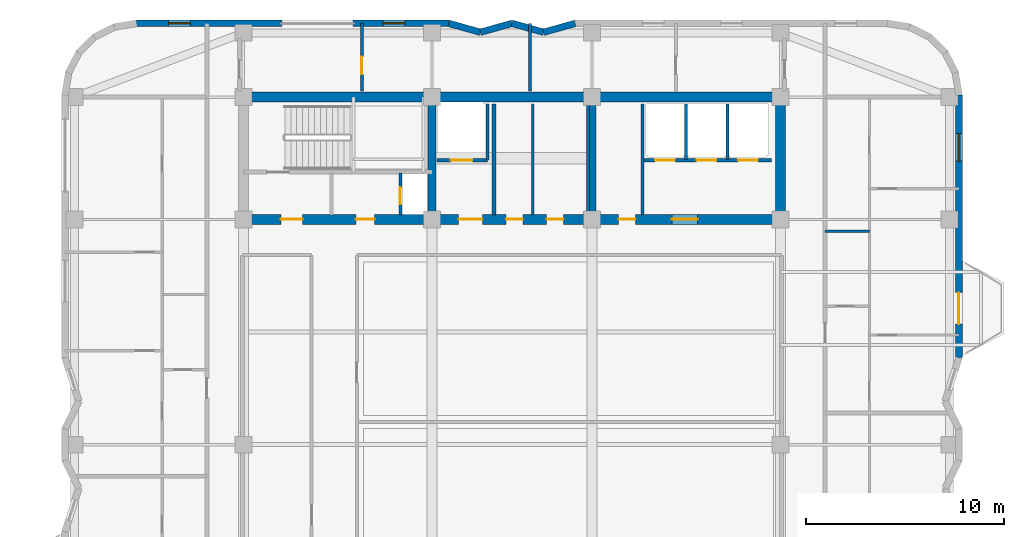
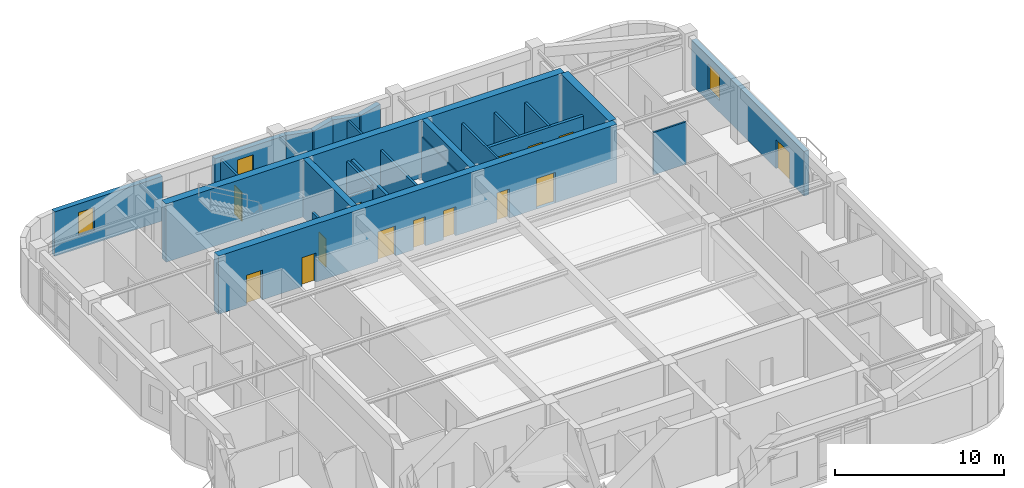
# One storey, part 8 of 11: 25 walls, 14 doors, 3 windows, 17 openings.
"""IFC4 building model written with IfcOpenShell, lengths in metres."""

from ifc_helpers import new_model, si_unit, direction, frame, frame_2d, origin, place, context, subcontext, project, spatial, rectangle, extrude, material, layer, layer_set, type_object, element, fill, save


model = new_model("IFC4")

# Units and contexts
model_context = context("Model", 3, precision=1e-05, world=origin(), true_north=direction((0.0, 1.0)))
body_context = subcontext(model_context, "Body", "Model", "MODEL_VIEW")
ifc_project = project(units=[si_unit("LENGTHUNIT", "METRE"), si_unit("AREAUNIT", "SQUARE_METRE"), si_unit("VOLUMEUNIT", "CUBIC_METRE"), si_unit("PLANEANGLEUNIT", "RADIAN"), si_unit("MASSUNIT", "GRAM", prefix="KILO")], contexts=[model_context])

# Site, building, storey
site_placement = place(None, origin())
site = spatial("IfcSite", under=ifc_project, at=site_placement, CompositionType="ELEMENT")
building_placement = place(site_placement, origin())
building = spatial("IfcBuilding", under=site, at=building_placement, Name="Svetorya Sky Lyceum", CompositionType="ELEMENT")
storey_placement = place(building_placement, frame((0.0, 0.0, 203.10009765625)))
storey = spatial("IfcBuildingStorey", under=building, at=storey_placement, Name="L50", CompositionType="ELEMENT", Elevation=203.10009765625)

# Walls
ifc_material_1 = material(Name="Concrete C40/50", Category="concrete")
ifc_layer_1 = layer(ifc_material_1, 0.39990234375)
ifc_layer_set_1 = layer_set([ifc_layer_1], Name="Concrete C40/50")
wall_type_1 = type_object("IfcWallType", Name="WL-CORE-400", PredefinedType="SHEAR", material=ifc_layer_set_1)
for number, where, z_axis, x_axis, name in (
    (1, (35.14990234375, 39.85009765625, 0.0), (0.0, 0.0, 1.0), (0.0, 1.0, 0.0), "L50 NC Internal Shear Web WEB1"),
    (2, (43.25, 39.85009765625, 0.0), (0.0, 0.0, 1.0), (0.0, 1.0, 0.0), "L50 NC Internal Shear Web WEB2"),
):
    element("IfcWall", number, at=place(storey_placement, frame(where, z_axis=z_axis, x_axis=x_axis)), inside=storey, type_object=wall_type_1, Name=name, PredefinedType="SHEAR", context=body_context, shape_type="SweptSolid", body=[
        extrude(rectangle(XDim=5.699951171875, YDim=0.39990234375, at=frame_2d((2.85009765625, 0.0))), origin(), (0.0, 0.0, 1.0), 4.199951171875),
    ])
ifc_material_2 = material(Name="Concrete C50/60", Category="concrete")
ifc_layer_2 = layer(ifc_material_2, 0.5)
ifc_layer_set_2 = layer_set([ifc_layer_2], Name="Concrete C50/60")
wall_type_2 = type_object("IfcWallType", Name="WL-CORE-500", PredefinedType="SHEAR", material=ifc_layer_set_2)
wall_1_placement = place(storey_placement, frame((25.60009765625, 45.800048828125, 0.0), z_axis=(0.0, 0.0, 1.0), x_axis=(1.0, 0.0, 0.0)))
element("IfcWall", 3, at=wall_1_placement, inside=storey, type_object=wall_type_2, Name="L50 NC Outer Core Shear Wall", PredefinedType="SHEAR", context=body_context, shape_type="SweptSolid", body=[
    extrude(rectangle(XDim=27.199951171875, YDim=0.5, at=frame_2d((13.60009765625, 0.0))), origin(), (0.0, 0.0, 1.0), 4.199951171875),
])
wall_2_placement = place(storey_placement, frame((52.800048828125, 39.85009765625, 0.0), z_axis=(0.0, 0.0, 1.0), x_axis=(0.0, 1.0, 0.0)))
element("IfcWall", 4, at=wall_2_placement, inside=storey, type_object=wall_type_2, Name="L50 NC East Core Shear Wall", PredefinedType="SHEAR", context=body_context, shape_type="SweptSolid", body=[
    extrude(rectangle(XDim=5.699951171875, YDim=0.5, at=frame_2d((2.85009765625, 0.0))), origin(), (0.0, 0.0, 1.0), 4.199951171875),
])

# Wall, openings, doors
wall_3_placement = place(storey_placement, frame((52.800048828125, 39.60009765625, 0.0), z_axis=(0.0, 0.0, 1.0), x_axis=(-1.0, 0.0, 0.0)))
wall_3 = element("IfcWall", 5, at=wall_3_placement, inside=storey, type_object=wall_type_2, Name="L50 NC Inner Core Shear Wall", PredefinedType="SHEAR", context=body_context, shape_type="SweptSolid", body=[
    extrude(rectangle(XDim=27.199951171875, YDim=0.5, at=frame_2d((13.60009765625, 0.0))), origin(), (0.0, 0.0, 1.0), 4.199951171875),
])
opening_1_placement = place(wall_3_placement, frame((24.199951171875, 0.0, 0.0)))
opening_1 = element("IfcOpeningElement", 6, at=opening_1_placement, cuts=wall_3, Name="Opening D-ST1", PredefinedType="OPENING", context=body_context, shape_type="SweptSolid", body=[
    extrude(rectangle(XDim=1.10009765625, YDim=2.14990234375, at=frame_2d((0.550048828125, 1.074951171875))), frame((0.0, 0.260009765625, 0.0), z_axis=(0.0, -1.0, 0.0), x_axis=(1.0, 0.0, 0.0)), (0.0, 0.0, 1.0), 0.52001953125),
])
opening_2_placement = place(wall_3_placement, frame((20.550048828125, 0.0, 0.0)))
opening_2 = element("IfcOpeningElement", 7, at=opening_2_placement, cuts=wall_3, Name="Opening D-CAC1", PredefinedType="OPENING", context=body_context, shape_type="SweptSolid", body=[
    extrude(rectangle(XDim=0.949951171875, YDim=2.10009765625, at=frame_2d((0.47509765625, 1.050048828125))), frame((0.0, 0.260009765625, 0.0), z_axis=(0.0, -1.0, 0.0), x_axis=(1.0, 0.0, 0.0)), (0.0, 0.0, 1.0), 0.52001953125),
])
opening_3_placement = place(wall_3_placement, frame((15.10009765625, 0.0, 0.0)))
opening_3 = element("IfcOpeningElement", 8, at=opening_3_placement, cuts=wall_3, Name="Opening D-FL1", PredefinedType="OPENING", context=body_context, shape_type="SweptSolid", body=[
    extrude(rectangle(XDim=1.199951171875, YDim=2.14990234375, at=frame_2d((0.60009765625, 1.074951171875))), frame((0.0, 0.260009765625, 0.0), z_axis=(0.0, -1.0, 0.0), x_axis=(1.0, 0.0, 0.0)), (0.0, 0.0, 1.0), 0.52001953125),
])
opening_4_placement = place(wall_3_placement, frame((13.050048828125, 0.0, 0.0)))
opening_4 = element("IfcOpeningElement", 9, at=opening_4_placement, cuts=wall_3, Name="Opening D-CWC1", PredefinedType="OPENING", context=body_context, shape_type="SweptSolid", body=[
    extrude(rectangle(XDim=0.85009765625, YDim=2.10009765625, at=frame_2d((0.425048828125, 1.050048828125))), frame((0.0, 0.260009765625, 0.0), z_axis=(0.0, -1.0, 0.0), x_axis=(1.0, 0.0, 0.0)), (0.0, 0.0, 1.0), 0.52001953125),
])
opening_5_placement = place(wall_3_placement, frame((11.0, 0.0, 0.0)))
opening_5 = element("IfcOpeningElement", 10, at=opening_5_placement, cuts=wall_3, Name="Opening D-CWC1", PredefinedType="OPENING", context=body_context, shape_type="SweptSolid", body=[
    extrude(rectangle(XDim=0.85009765625, YDim=2.10009765625, at=frame_2d((0.425048828125, 1.050048828125))), frame((0.0, 0.260009765625, 0.0), z_axis=(0.0, -1.0, 0.0), x_axis=(1.0, 0.0, 0.0)), (0.0, 0.0, 1.0), 0.52001953125),
])
opening_6_placement = place(wall_3_placement, frame((7.35009765625, 0.0, 0.0)))
opening_6 = element("IfcOpeningElement", 11, at=opening_6_placement, cuts=wall_3, Name="Opening D-CWC1", PredefinedType="OPENING", context=body_context, shape_type="SweptSolid", body=[
    extrude(rectangle(XDim=0.85009765625, YDim=2.10009765625, at=frame_2d((0.425048828125, 1.050048828125))), frame((0.0, 0.260009765625, 0.0), z_axis=(0.0, -1.0, 0.0), x_axis=(1.0, 0.0, 0.0)), (0.0, 0.0, 1.0), 0.52001953125),
])
opening_7_placement = place(wall_3_placement, frame((4.199951171875, 0.0, 0.0)))
opening_7 = element("IfcOpeningElement", 12, at=opening_7_placement, cuts=wall_3, Name="Opening D-LB1", PredefinedType="OPENING", context=body_context, shape_type="SweptSolid", body=[
    extrude(rectangle(XDim=1.300048828125, YDim=2.199951171875, at=frame_2d((0.64990234375, 1.10009765625))), frame((0.0, 0.260009765625, 0.0), z_axis=(0.0, -1.0, 0.0), x_axis=(1.0, 0.0, 0.0)), (0.0, 0.0, 1.0), 0.52001953125),
])
ifc_material_3 = material(Name="Fire-rated galvanized steel core accessible WC door", Category="steel")
door_type_1 = type_object("IfcDoorType", Name="DR-CACC-950", OperationType="SINGLE_SWING_LEFT", PredefinedType="DOOR", material=ifc_material_3)
door_1_placement = place(opening_2_placement, origin())
door_1 = element("IfcDoor", 13, at=door_1_placement, inside=storey, type_object=door_type_1, Name="L50 North Core Accessible WC Door", OperationType="SINGLE_SWING_RIGHT", OverallHeight=2.10009765625, OverallWidth=0.949951171875, PredefinedType="DOOR", context=body_context, shape_type="SweptSolid", body=[
    extrude(rectangle(XDim=0.949951171875, YDim=2.10009765625, at=frame_2d((0.47509765625, 1.050048828125))), frame((0.0, 0.02490234375, 0.0), z_axis=(0.0, -1.0, 0.0), x_axis=(1.0, 0.0, 0.0)), (0.0, 0.0, 1.0), 0.050048828125),
])
fill(opening_2, door_1)
ifc_material_4 = material(Name="Fire-rated galvanized steel core service closet door", Category="steel")
door_type_2 = type_object("IfcDoorType", Name="DR-CWET-850", OperationType="SINGLE_SWING_LEFT", PredefinedType="DOOR", material=ifc_material_4)
door_2_placement = place(opening_4_placement, origin())
door_2 = element("IfcDoor", 14, at=door_2_placement, inside=storey, type_object=door_type_2, Name="L50 Upper Linen Door", OperationType="SINGLE_SWING_LEFT", OverallHeight=2.10009765625, OverallWidth=0.85009765625, PredefinedType="DOOR", context=body_context, shape_type="SweptSolid", body=[
    extrude(rectangle(XDim=0.85009765625, YDim=2.10009765625, at=frame_2d((0.425048828125, 1.050048828125))), frame((0.0, 0.02490234375, 0.0), z_axis=(0.0, -1.0, 0.0), x_axis=(1.0, 0.0, 0.0)), (0.0, 0.0, 1.0), 0.050048828125),
])
fill(opening_4, door_2)
door_3_placement = place(opening_5_placement, origin())
door_3 = element("IfcDoor", 15, at=door_3_placement, inside=storey, type_object=door_type_2, Name="L50 Upper Laundry Door", OperationType="SINGLE_SWING_RIGHT", OverallHeight=2.10009765625, OverallWidth=0.85009765625, PredefinedType="DOOR", context=body_context, shape_type="SweptSolid", body=[
    extrude(rectangle(XDim=0.85009765625, YDim=2.10009765625, at=frame_2d((0.425048828125, 1.050048828125))), frame((0.0, 0.02490234375, 0.0), z_axis=(0.0, -1.0, 0.0), x_axis=(1.0, 0.0, 0.0)), (0.0, 0.0, 1.0), 0.050048828125),
])
fill(opening_5, door_3)
door_4_placement = place(opening_6_placement, origin())
door_4 = element("IfcDoor", 16, at=door_4_placement, inside=storey, type_object=door_type_2, Name="L50 High-Zone Utility Room Door", OperationType="SINGLE_SWING_LEFT", OverallHeight=2.10009765625, OverallWidth=0.85009765625, PredefinedType="DOOR", context=body_context, shape_type="SweptSolid", body=[
    extrude(rectangle(XDim=0.85009765625, YDim=2.10009765625, at=frame_2d((0.425048828125, 1.050048828125))), frame((0.0, 0.02490234375, 0.0), z_axis=(0.0, -1.0, 0.0), x_axis=(1.0, 0.0, 0.0)), (0.0, 0.0, 1.0), 0.050048828125),
])
fill(opening_6, door_4)
ifc_material_5 = material(Name="Powder-coated insulated galvanized stair fire door")
door_type_3 = type_object("IfcDoorType", Name="DR-FIRE-1100", OperationType="SINGLE_SWING_LEFT", PredefinedType="DOOR", material=ifc_material_5)
door_5_placement = place(opening_1_placement, origin())
door_5 = element("IfcDoor", 17, at=door_5_placement, inside=storey, type_object=door_type_3, Name="L50 North Stair Airlock Door", OperationType="SINGLE_SWING_LEFT", OverallHeight=2.14990234375, OverallWidth=1.10009765625, PredefinedType="DOOR", context=body_context, shape_type="SweptSolid", body=[
    extrude(rectangle(XDim=1.10009765625, YDim=2.14990234375, at=frame_2d((0.550048828125, 1.074951171875))), frame((0.0, 0.02490234375, 0.0), z_axis=(0.0, -1.0, 0.0), x_axis=(1.0, 0.0, 0.0)), (0.0, 0.0, 1.0), 0.050048828125),
])
fill(opening_1, door_5)
ifc_material_6 = material(Name="Powder-coated insulated galvanized fire door")
door_type_4 = type_object("IfcDoorType", Name="DR-FIRE-1200", OperationType="SINGLE_SWING_LEFT", PredefinedType="DOOR", material=ifc_material_6)
door_6_placement = place(opening_3_placement, origin())
door_6 = element("IfcDoor", 18, at=door_6_placement, inside=storey, type_object=door_type_4, Name="L50 North Firefighting Lift Lobby Door", OperationType="SINGLE_SWING_RIGHT", OverallHeight=2.14990234375, OverallWidth=1.199951171875, PredefinedType="DOOR", context=body_context, shape_type="SweptSolid", body=[
    extrude(rectangle(XDim=1.199951171875, YDim=2.14990234375, at=frame_2d((0.60009765625, 1.074951171875))), frame((0.0, 0.02490234375, 0.0), z_axis=(0.0, -1.0, 0.0), x_axis=(1.0, 0.0, 0.0)), (0.0, 0.0, 1.0), 0.050048828125),
])
fill(opening_3, door_6)
ifc_material_7 = material(Name="Glazed fire-rated aluminium lobby door", Category="aluminium")
door_type_5 = type_object("IfcDoorType", Name="DR-LOB-1300", OperationType="SINGLE_SWING_LEFT", PredefinedType="DOOR", material=ifc_material_7)
door_7_placement = place(opening_7_placement, origin())
door_7 = element("IfcDoor", 19, at=door_7_placement, inside=storey, type_object=door_type_5, Name="L50 North Passenger Lift Lobby Door", OperationType="SINGLE_SWING_LEFT", OverallHeight=2.199951171875, OverallWidth=1.300048828125, PredefinedType="DOOR", context=body_context, shape_type="SweptSolid", body=[
    extrude(rectangle(XDim=1.300048828125, YDim=2.199951171875, at=frame_2d((0.64990234375, 1.10009765625))), frame((0.0, 0.02490234375, 0.0), z_axis=(0.0, -1.0, 0.0), x_axis=(1.0, 0.0, 0.0)), (0.0, 0.0, 1.0), 0.050048828125),
])
fill(opening_7, door_7)

# Wall, openings, door, window
ifc_material_8 = material(Name="Putilovo limestone rainscreen on autoclaved cellular masonry", Category="masonry")
ifc_layer_3 = layer(ifc_material_8, 0.340087890625)
ifc_layer_set_3 = layer_set([ifc_layer_3], Name="Putilovo limestone rainscreen on autoclaved cellular masonry")
wall_type_3 = type_object("IfcWallType", Name="WL-EXT-340", PredefinedType="SOLIDWALL", material=ifc_layer_set_3)
wall_4_placement = place(storey_placement, frame((61.830078125, 32.60009765625, 0.0), z_axis=(0.0, 0.0, 1.0), x_axis=(0.0, 1.0, 0.0)))
wall_4 = element("IfcWall", 20, at=wall_4_placement, inside=storey, type_object=wall_type_3, Name="L50 Limestone Exterior Wall 23M", PredefinedType="SOLIDWALL", context=body_context, shape_type="SweptSolid", body=[
    extrude(rectangle(XDim=13.2998046875, YDim=0.340087890625, at=frame_2d((6.64990234375, 0.0))), origin(), (0.0, 0.0, 1.0), 3.219970703125),
])
opening_8_placement = place(wall_4_placement, frame((1.699951171875, 0.0, 0.0)))
opening_8 = element("IfcOpeningElement", 21, at=opening_8_placement, cuts=wall_4, Name="Opening D-BL1", PredefinedType="OPENING", context=body_context, shape_type="SweptSolid", body=[
    extrude(rectangle(XDim=1.60009765625, YDim=2.10009765625, at=frame_2d((0.800048828125, 1.050048828125))), frame((0.0, 0.179931640625, 0.0), z_axis=(0.0, -1.0, 0.0), x_axis=(1.0, 0.0, 0.0)), (0.0, 0.0, 1.0), 0.360107421875),
])
opening_9_placement = place(wall_4_placement, frame((9.949951171875, 0.0, 0.85009765625)))
opening_9 = element("IfcOpeningElement", 22, at=opening_9_placement, cuts=wall_4, Name="Opening W-R2", PredefinedType="OPENING", context=body_context, shape_type="SweptSolid", body=[
    extrude(rectangle(XDim=1.39990234375, YDim=1.85009765625, at=frame_2d((0.699951171875, 0.925048828125))), frame((0.0, 0.179931640625, 0.0), z_axis=(0.0, -1.0, 0.0), x_axis=(1.0, 0.0, 0.0)), (0.0, 0.0, 1.0), 0.360107421875),
])
ifc_material_9 = material(Name="Insulated glazed aluminium balcony door", Category="aluminium")
door_type_6 = type_object("IfcDoorType", Name="DR-BAL-1600", OperationType="DOUBLE_DOOR_SINGLE_SWING", PredefinedType="DOOR", material=ifc_material_9)
door_8_placement = place(opening_8_placement, origin())
door_8 = element("IfcDoor", 23, at=door_8_placement, inside=storey, type_object=door_type_6, Name="L50 Balcony BAL-E1 Door", OperationType="DOUBLE_DOOR_SINGLE_SWING", OverallHeight=2.10009765625, OverallWidth=1.60009765625, PredefinedType="DOOR", context=body_context, shape_type="SweptSolid", body=[
    extrude(rectangle(XDim=1.60009765625, YDim=2.10009765625, at=frame_2d((0.800048828125, 1.050048828125))), frame((0.0, 0.02490234375, 0.0), z_axis=(0.0, -1.0, 0.0), x_axis=(1.0, 0.0, 0.0)), (0.0, 0.0, 1.0), 0.050048828125),
])
fill(opening_8, door_8)
ifc_material_10 = material(Name="Thermally broken aluminium frame with triple low-E glazing", Category="aluminium")
window_type_1 = type_object("IfcWindowType", Name="WN-RES-140", PartitioningType="SINGLE_PANEL", PredefinedType="WINDOW", material=ifc_material_10)
window_1_placement = place(opening_9_placement, origin())
window_1 = element("IfcWindow", 24, at=window_1_placement, inside=storey, type_object=window_type_1, Name="L50 Facade Window W-R2.23M.1", OverallHeight=1.85009765625, OverallWidth=1.39990234375, PartitioningType="SINGLE_PANEL", PredefinedType="WINDOW", context=body_context, shape_type="SweptSolid", body=[
    extrude(rectangle(XDim=1.39990234375, YDim=1.85009765625, at=frame_2d((0.699951171875, 0.925048828125))), frame((0.0, 0.030029296875, 0.0), z_axis=(0.0, -1.0, 0.0), x_axis=(1.0, 0.0, 0.0)), (0.0, 0.0, 1.0), 0.06005859375),
])
fill(opening_9, window_1)

# Walls
wall_5_placement = place(storey_placement, frame((42.39990234375, 49.530029296875, 0.0), z_axis=(0.0, 0.0, 1.0), x_axis=(-0.962652136636, -0.270741322725, 0.0)))
element("IfcWall", 25, at=wall_5_placement, inside=storey, type_object=wall_type_3, Name="L50 Limestone Exterior Wall 30M", PredefinedType="SOLIDWALL", context=body_context, shape_type="SweptSolid", body=[
    extrude(rectangle(XDim=1.661865234375, YDim=0.340087890625, at=frame_2d((0.8310546875, 0.0))), origin(), (0.0, 0.0, 1.0), 3.219970703125),
])
wall_6_placement = place(storey_placement, frame((40.800048828125, 49.080078125, 0.0), z_axis=(0.0, 0.0, 1.0), x_axis=(-0.962662902433, 0.270703040766, 0.0)))
element("IfcWall", 26, at=wall_6_placement, inside=storey, type_object=wall_type_3, Name="L50 Limestone Exterior Wall 31M", PredefinedType="SOLIDWALL", context=body_context, shape_type="SweptSolid", body=[
    extrude(rectangle(XDim=1.662109375, YDim=0.340087890625, at=frame_2d((0.8310546875, 0.0))), origin(), (0.0, 0.0, 1.0), 3.219970703125),
])
wall_7_placement = place(storey_placement, frame((39.199951171875, 49.530029296875, 0.0), z_axis=(0.0, 0.0, 1.0), x_axis=(-0.962652136636, -0.270741322725, 0.0)))
element("IfcWall", 27, at=wall_7_placement, inside=storey, type_object=wall_type_3, Name="L50 Limestone Exterior Wall 32M", PredefinedType="SOLIDWALL", context=body_context, shape_type="SweptSolid", body=[
    extrude(rectangle(XDim=1.661865234375, YDim=0.340087890625, at=frame_2d((0.8310546875, 0.0))), origin(), (0.0, 0.0, 1.0), 3.219970703125),
])
wall_8_placement = place(storey_placement, frame((37.60009765625, 49.080078125, 0.0), z_axis=(0.0, 0.0, 1.0), x_axis=(-0.962662902433, 0.270703040766, 0.0)))
element("IfcWall", 28, at=wall_8_placement, inside=storey, type_object=wall_type_3, Name="L50 Limestone Exterior Wall 33M", PredefinedType="SOLIDWALL", context=body_context, shape_type="SweptSolid", body=[
    extrude(rectangle(XDim=1.662109375, YDim=0.340087890625, at=frame_2d((0.8310546875, 0.0))), origin(), (0.0, 0.0, 1.0), 3.219970703125),
])

# Wall, opening, window
wall_9_placement = place(storey_placement, frame((36.0, 49.530029296875, 0.0), z_axis=(0.0, 0.0, 1.0), x_axis=(-1.0, 0.0, 0.0)))
wall_9 = element("IfcWall", 29, at=wall_9_placement, inside=storey, type_object=wall_type_3, Name="L50 Limestone Exterior Wall 34A", PredefinedType="SOLIDWALL", context=body_context, shape_type="SweptSolid", body=[
    extrude(rectangle(XDim=4.85009765625, YDim=0.340087890625, at=frame_2d((2.425048828125, 0.0))), origin(), (0.0, 0.0, 1.0), 3.219970703125),
])
opening_10_placement = place(wall_9_placement, frame((2.22509765625, 0.0, 0.949951171875)))
opening_10 = element("IfcOpeningElement", 30, at=opening_10_placement, cuts=wall_9, Name="Opening W-R3", PredefinedType="OPENING", context=body_context, shape_type="SweptSolid", body=[
    extrude(rectangle(XDim=1.10009765625, YDim=1.64990234375, at=frame_2d((0.550048828125, 0.824951171875))), frame((0.0, 0.179931640625, 0.0), z_axis=(0.0, -1.0, 0.0), x_axis=(1.0, 0.0, 0.0)), (0.0, 0.0, 1.0), 0.360107421875),
])
window_type_2 = type_object("IfcWindowType", Name="WN-RES-110", PartitioningType="SINGLE_PANEL", PredefinedType="WINDOW", material=ifc_material_10)
window_2_placement = place(opening_10_placement, origin())
window_2 = element("IfcWindow", 31, at=window_2_placement, inside=storey, type_object=window_type_2, Name="L50 Facade Window W-R3.34A.1", OverallHeight=1.64990234375, OverallWidth=1.10009765625, PartitioningType="SINGLE_PANEL", PredefinedType="WINDOW", context=body_context, shape_type="SweptSolid", body=[
    extrude(rectangle(XDim=1.10009765625, YDim=1.64990234375, at=frame_2d((0.550048828125, 0.824951171875))), frame((0.0, 0.030029296875, 0.0), z_axis=(0.0, -1.0, 0.0), x_axis=(1.0, 0.0, 0.0)), (0.0, 0.0, 1.0), 0.06005859375),
])
fill(opening_10, window_2)

wall_10_placement = place(storey_placement, frame((27.550048828125, 49.530029296875, 0.0), z_axis=(0.0, 0.0, 1.0), x_axis=(-1.0, 0.0, 0.0)))
wall_10 = element("IfcWall", 32, at=wall_10_placement, inside=storey, type_object=wall_type_3, Name="L50 Limestone Exterior Wall 34B", PredefinedType="SOLIDWALL", context=body_context, shape_type="SweptSolid", body=[
    extrude(rectangle(XDim=7.35009765625, YDim=0.340087890625, at=frame_2d((3.675048828125, 0.0))), origin(), (0.0, 0.0, 1.0), 3.219970703125),
])
opening_11_placement = place(wall_10_placement, frame((4.637451171875, 0.0, 0.949951171875)))
opening_11 = element("IfcOpeningElement", 33, at=opening_11_placement, cuts=wall_10, Name="Opening W-R3", PredefinedType="OPENING", context=body_context, shape_type="SweptSolid", body=[
    extrude(rectangle(XDim=1.10009765625, YDim=1.64990234375, at=frame_2d((0.550048828125, 0.824951171875))), frame((0.0, 0.179931640625, 0.0), z_axis=(0.0, -1.0, 0.0), x_axis=(1.0, 0.0, 0.0)), (0.0, 0.0, 1.0), 0.360107421875),
])
window_3_placement = place(opening_11_placement, origin())
window_3 = element("IfcWindow", 34, at=window_3_placement, inside=storey, type_object=window_type_2, Name="L50 Facade Window W-R3.34B.1", OverallHeight=1.64990234375, OverallWidth=1.10009765625, PartitioningType="SINGLE_PANEL", PredefinedType="WINDOW", context=body_context, shape_type="SweptSolid", body=[
    extrude(rectangle(XDim=1.10009765625, YDim=1.64990234375, at=frame_2d((0.550048828125, 0.824951171875))), frame((0.0, 0.030029296875, 0.0), z_axis=(0.0, -1.0, 0.0), x_axis=(1.0, 0.0, 0.0)), (0.0, 0.0, 1.0), 0.06005859375),
])
fill(opening_11, window_3)

# Wall
ifc_material_11 = material(Name="Twin-stud galvanized framing with double fireboard", Category="gypsum")
ifc_layer_4 = layer(ifc_material_11, 0.1201171875)
ifc_layer_set_4 = layer_set([ifc_layer_4], Name="Twin-stud galvanized framing with double fireboard")
wall_type_4 = type_object("IfcWallType", Name="WL-PART-120", PredefinedType="PARTITIONING", material=ifc_layer_set_4)
wall_11_placement = place(storey_placement, frame((55.050048828125, 39.0, 0.0), z_axis=(0.0, 0.0, 1.0), x_axis=(1.0, 0.0, 0.0)))
element("IfcWall", 35, at=wall_11_placement, inside=storey, type_object=wall_type_4, Name="L50 Interior Partition E2-WH2", PredefinedType="PARTITIONING", context=body_context, shape_type="SweptSolid", body=[
    extrude(rectangle(XDim=2.25, YDim=0.1201171875, at=frame_2d((1.125, 0.0))), origin(), (0.0, 0.0, 1.0), 3.0498046875),
])

# Wall, opening, door
ifc_material_12 = material(Name="Autoclaved cellular masonry blockwork with acoustic render", Category="masonry")
ifc_layer_5 = layer(ifc_material_12, 0.14990234375)
ifc_layer_set_5 = layer_set([ifc_layer_5], Name="Autoclaved cellular masonry blockwork with acoustic render")
wall_type_5 = type_object("IfcWallType", Name="WL-PART-150", PredefinedType="PARTITIONING", material=ifc_layer_set_5)
wall_12_placement = place(storey_placement, frame((33.550048828125, 39.820068359375, 0.0), z_axis=(0.0, 0.0, 1.0), x_axis=(0.0, 1.0, 0.0)))
wall_12 = element("IfcWall", 36, at=wall_12_placement, inside=storey, type_object=wall_type_5, Name="L50 Interior Partition NC-RSRW", PredefinedType="PARTITIONING", context=body_context, shape_type="SweptSolid", body=[
    extrude(rectangle(XDim=2.1298828125, YDim=0.14990234375, at=frame_2d((1.06494140625, 0.0))), origin(), (0.0, 0.0, 1.0), 3.0498046875),
])
opening_12_placement = place(wall_12_placement, frame((0.550048828125, 0.0, 0.0)))
opening_12 = element("IfcOpeningElement", 37, at=opening_12_placement, cuts=wall_12, Name="Opening D-SH1", PredefinedType="OPENING", context=body_context, shape_type="SweptSolid", body=[
    extrude(rectangle(XDim=0.85009765625, YDim=2.050048828125, at=frame_2d((0.425048828125, 1.02490234375))), frame((0.0, 0.0849609375, 0.0), z_axis=(0.0, -1.0, 0.0), x_axis=(1.0, 0.0, 0.0)), (0.0, 0.0, 1.0), 0.169921875),
])
ifc_material_13 = material(Name="Insulated galvanized riser inspection fire door")
door_type_7 = type_object("IfcDoorType", Name="DR-SHFT-850", OperationType="SINGLE_SWING_LEFT", PredefinedType="TRAPDOOR", material=ifc_material_13)
door_9_placement = place(opening_12_placement, origin())
door_9 = element("IfcDoor", 38, at=door_9_placement, inside=storey, type_object=door_type_7, Name="L50 North Riser Access Door", OperationType="SINGLE_SWING_LEFT", OverallHeight=2.050048828125, OverallWidth=0.85009765625, PredefinedType="TRAPDOOR", context=body_context, shape_type="SweptSolid", body=[
    extrude(rectangle(XDim=0.85009765625, YDim=2.050048828125, at=frame_2d((0.425048828125, 1.02490234375))), frame((0.0, 0.02490234375, 0.0), z_axis=(0.0, -1.0, 0.0), x_axis=(1.0, 0.0, 0.0)), (0.0, 0.0, 1.0), 0.050048828125),
])
fill(opening_12, door_9)

# Walls
wall_13_placement = place(storey_placement, frame((37.949951171875, 42.60009765625, 0.0), z_axis=(0.0, 0.0, 1.0), x_axis=(0.0, 1.0, 0.0)))
element("IfcWall", 39, at=wall_13_placement, inside=storey, type_object=wall_type_5, Name="L50 Interior Partition NC-FL1SIDE", PredefinedType="PARTITIONING", context=body_context, shape_type="SweptSolid", body=[
    extrude(rectangle(XDim=2.849853515625, YDim=0.14990234375, at=frame_2d((1.4248046875, 0.0))), origin(), (0.0, 0.0, 1.0), 3.0498046875),
])
for number, where, z_axis, x_axis, name in (
    (40, (43.050048828125, 39.820068359375, 0.0), (0.0, 0.0, 1.0), (0.0, 1.0, 0.0), "L50 Interior Partition NC-FPM-END"),
    (41, (40.25, 39.820068359375, 0.0), (0.0, 0.0, 1.0), (0.0, 1.0, 0.0), "L50 Interior Partition NC-FPM-V2"),
    (42, (45.800048828125, 39.820068359375, 0.0), (0.0, 0.0, 1.0), (0.0, 1.0, 0.0), "L50 Interior Partition NC-PM3-FULL"),
):
    element("IfcWall", number, at=place(storey_placement, frame(where, z_axis=z_axis, x_axis=x_axis)), inside=storey, type_object=wall_type_5, Name=name, PredefinedType="PARTITIONING", context=body_context, shape_type="SweptSolid", body=[
        extrude(rectangle(XDim=5.6298828125, YDim=0.14990234375, at=frame_2d((2.81494140625, 0.0))), origin(), (0.0, 0.0, 1.0), 3.0498046875),
    ])
for number, where, z_axis, x_axis, name in (
    (43, (48.0, 42.64990234375, 0.0), (0.0, 0.0, 1.0), (0.0, 1.0, 0.0), "L50 Interior Partition NC-PH-D1"),
    (44, (50.10009765625, 42.64990234375, 0.0), (0.0, 0.0, 1.0), (0.0, 1.0, 0.0), "L50 Interior Partition NC-PH-D2"),
):
    element("IfcWall", number, at=place(storey_placement, frame(where, z_axis=z_axis, x_axis=x_axis)), inside=storey, type_object=wall_type_5, Name=name, PredefinedType="PARTITIONING", context=body_context, shape_type="SweptSolid", body=[
        extrude(rectangle(XDim=2.800048828125, YDim=0.14990234375, at=frame_2d((1.39990234375, 0.0))), origin(), (0.0, 0.0, 1.0), 3.0498046875),
    ])

# Wall, opening, door
wall_14_placement = place(storey_placement, frame((31.60009765625, 46.10009765625, 0.0), z_axis=(0.0, 0.0, 1.0), x_axis=(0.0, 1.0, 0.0)))
wall_14 = element("IfcWall", 45, at=wall_14_placement, inside=storey, type_object=wall_type_5, Name="L50 Interior Partition N4-D1", PredefinedType="PARTITIONING", context=body_context, shape_type="SweptSolid", body=[
    extrude(rectangle(XDim=3.429931640625, YDim=0.14990234375, at=frame_2d((1.71484375, 0.0))), origin(), (0.0, 0.0, 1.0), 3.0498046875),
])
opening_13_placement = place(wall_14_placement, frame((0.85009765625, 0.0, 0.0)))
opening_13 = element("IfcOpeningElement", 46, at=opening_13_placement, cuts=wall_14, Name="Opening D-RM1", PredefinedType="OPENING", context=body_context, shape_type="SweptSolid", body=[
    extrude(rectangle(XDim=0.89990234375, YDim=2.10009765625, at=frame_2d((0.449951171875, 1.050048828125))), frame((0.0, 0.0849609375, 0.0), z_axis=(0.0, -1.0, 0.0), x_axis=(1.0, 0.0, 0.0)), (0.0, 0.0, 1.0), 0.169921875),
])
ifc_material_14 = material(Name="Lacquered birch veneer internal door")
door_type_8 = type_object("IfcDoorType", Name="DR-INT-900", OperationType="SINGLE_SWING_LEFT", PredefinedType="DOOR", material=ifc_material_14)
door_10_placement = place(opening_13_placement, origin())
door_10 = element("IfcDoor", 47, at=door_10_placement, inside=storey, type_object=door_type_8, Name="L50 North Suite Door 1", OperationType="SINGLE_SWING_RIGHT", OverallHeight=2.10009765625, OverallWidth=0.89990234375, PredefinedType="DOOR", context=body_context, shape_type="SweptSolid", body=[
    extrude(rectangle(XDim=0.89990234375, YDim=2.10009765625, at=frame_2d((0.449951171875, 1.050048828125))), frame((0.0, 0.02490234375, 0.0), z_axis=(0.0, -1.0, 0.0), x_axis=(1.0, 0.0, 0.0)), (0.0, 0.0, 1.0), 0.050048828125),
])
fill(opening_13, door_10)

# Wall
wall_15_placement = place(storey_placement, frame((40.10009765625, 46.10009765625, 0.0), z_axis=(0.0, 0.0, 1.0), x_axis=(0.0, 1.0, 0.0)))
element("IfcWall", 48, at=wall_15_placement, inside=storey, type_object=wall_type_5, Name="L50 Interior Partition N4-D2", PredefinedType="PARTITIONING", context=body_context, shape_type="SweptSolid", body=[
    extrude(rectangle(XDim=3.429931640625, YDim=0.14990234375, at=frame_2d((1.71484375, 0.0))), origin(), (0.0, 0.0, 1.0), 3.0498046875),
])

# Wall, opening, door
ifc_material_15 = material(Name="Autoclaved cellular masonry blockwork with gypsum plaster", Category="masonry")
ifc_layer_6 = layer(ifc_material_15, 0.199951171875)
ifc_layer_set_6 = layer_set([ifc_layer_6], Name="Autoclaved cellular masonry blockwork with gypsum plaster")
wall_type_6 = type_object("IfcWallType", Name="WL-PART-200", PredefinedType="PARTITIONING", material=ifc_layer_set_6)
wall_16_placement = place(storey_placement, frame((37.949951171875, 42.60009765625, 0.0), z_axis=(0.0, 0.0, 1.0), x_axis=(-1.0, 0.0, 0.0)))
wall_16 = element("IfcWall", 49, at=wall_16_placement, inside=storey, type_object=wall_type_6, Name="L50 Interior Partition NC-FL1W", PredefinedType="PARTITIONING", context=body_context, shape_type="SweptSolid", body=[
    extrude(rectangle(XDim=2.550048828125, YDim=0.199951171875, at=frame_2d((1.27490234375, 0.0))), origin(), (0.0, 0.0, 1.0), 2.81982421875),
])
opening_14_placement = place(wall_16_placement, frame((0.75, 0.0, 0.0)))
opening_14 = element("IfcOpeningElement", 50, at=opening_14_placement, cuts=wall_16, Name="Opening LD-FL", PredefinedType="OPENING", context=body_context, shape_type="SweptSolid", body=[
    extrude(rectangle(XDim=1.10009765625, YDim=2.14990234375, at=frame_2d((0.550048828125, 1.074951171875))), frame((0.0, 0.10986328125, 0.0), z_axis=(0.0, -1.0, 0.0), x_axis=(1.0, 0.0, 0.0)), (0.0, 0.0, 1.0), 0.219970703125),
])
ifc_material_16 = material(Name="Fire-rated stainless AISI 304 firefighting lift landing door")
door_type_9 = type_object("IfcDoorType", Name="DR-LIFT-1100", OperationType="SLIDING_TO_LEFT", PredefinedType="DOOR", material=ifc_material_16)
door_11_placement = place(opening_14_placement, origin())
door_11 = element("IfcDoor", 51, at=door_11_placement, inside=storey, type_object=door_type_9, Name="L50 Firefighting Lift FL1 Landing Door", OperationType="SLIDING_TO_LEFT", OverallHeight=2.14990234375, OverallWidth=1.10009765625, PredefinedType="DOOR", context=body_context, shape_type="SweptSolid", body=[
    extrude(rectangle(XDim=1.10009765625, YDim=2.14990234375, at=frame_2d((0.550048828125, 1.074951171875))), frame((0.0, 0.02490234375, 0.0), z_axis=(0.0, -1.0, 0.0), x_axis=(1.0, 0.0, 0.0)), (0.0, 0.0, 1.0), 0.050048828125),
])
fill(opening_14, door_11)

# Wall
wall_17_placement = place(storey_placement, frame((38.280029296875, 39.820068359375, 0.0), z_axis=(0.0, 0.0, 1.0), x_axis=(0.0, 1.0, 0.0)))
element("IfcWall", 52, at=wall_17_placement, inside=storey, type_object=wall_type_6, Name="L50 Interior Partition NC-FFLDIV", PredefinedType="PARTITIONING", context=body_context, shape_type="SweptSolid", body=[
    extrude(rectangle(XDim=5.6298828125, YDim=0.199951171875, at=frame_2d((2.81494140625, 0.0))), origin(), (0.0, 0.0, 1.0), 3.0498046875),
])

# Wall, openings, doors
wall_18_placement = place(storey_placement, frame((52.35009765625, 42.60009765625, 0.0), z_axis=(0.0, 0.0, 1.0), x_axis=(-1.0, 0.0, 0.0)))
wall_18 = element("IfcWall", 53, at=wall_18_placement, inside=storey, type_object=wall_type_6, Name="L50 Interior Partition NC-PHEW", PredefinedType="PARTITIONING", context=body_context, shape_type="SweptSolid", body=[
    extrude(rectangle(XDim=6.5, YDim=0.199951171875, at=frame_2d((3.25, 0.0))), origin(), (0.0, 0.0, 1.0), 3.0498046875),
])
opening_15_placement = place(wall_18_placement, frame((4.89990234375, 0.0, 0.0)))
opening_15 = element("IfcOpeningElement", 54, at=opening_15_placement, cuts=wall_18, Name="Opening LD-P1", PredefinedType="OPENING", context=body_context, shape_type="SweptSolid", body=[
    extrude(rectangle(XDim=1.0, YDim=2.14990234375, at=frame_2d((0.5, 1.074951171875))), frame((0.0, 0.10986328125, 0.0), z_axis=(0.0, -1.0, 0.0), x_axis=(1.0, 0.0, 0.0)), (0.0, 0.0, 1.0), 0.219970703125),
])
opening_16_placement = place(wall_18_placement, frame((2.800048828125, 0.0, 0.0)))
opening_16 = element("IfcOpeningElement", 55, at=opening_16_placement, cuts=wall_18, Name="Opening LD-P1", PredefinedType="OPENING", context=body_context, shape_type="SweptSolid", body=[
    extrude(rectangle(XDim=1.0, YDim=2.14990234375, at=frame_2d((0.5, 1.074951171875))), frame((0.0, 0.10986328125, 0.0), z_axis=(0.0, -1.0, 0.0), x_axis=(1.0, 0.0, 0.0)), (0.0, 0.0, 1.0), 0.219970703125),
])
opening_17_placement = place(wall_18_placement, frame((0.699951171875, 0.0, 0.0)))
opening_17 = element("IfcOpeningElement", 56, at=opening_17_placement, cuts=wall_18, Name="Opening LD-P1", PredefinedType="OPENING", context=body_context, shape_type="SweptSolid", body=[
    extrude(rectangle(XDim=1.0, YDim=2.14990234375, at=frame_2d((0.5, 1.074951171875))), frame((0.0, 0.10986328125, 0.0), z_axis=(0.0, -1.0, 0.0), x_axis=(1.0, 0.0, 0.0)), (0.0, 0.0, 1.0), 0.219970703125),
])
ifc_material_17 = material(Name="Champagne-anodized stainless passenger lift landing door")
door_type_10 = type_object("IfcDoorType", Name="DR-LIFT-1000", OperationType="SLIDING_TO_LEFT", PredefinedType="DOOR", material=ifc_material_17)
door_12_placement = place(opening_15_placement, origin())
door_12 = element("IfcDoor", 57, at=door_12_placement, inside=storey, type_object=door_type_10, Name="L50 Passenger Lift PH1 Landing Door", OperationType="SLIDING_TO_LEFT", OverallHeight=2.14990234375, OverallWidth=1.0, PredefinedType="DOOR", context=body_context, shape_type="SweptSolid", body=[
    extrude(rectangle(XDim=1.0, YDim=2.14990234375, at=frame_2d((0.5, 1.074951171875))), frame((0.0, 0.02490234375, 0.0), z_axis=(0.0, -1.0, 0.0), x_axis=(1.0, 0.0, 0.0)), (0.0, 0.0, 1.0), 0.050048828125),
])
fill(opening_15, door_12)
door_13_placement = place(opening_16_placement, origin())
door_13 = element("IfcDoor", 58, at=door_13_placement, inside=storey, type_object=door_type_10, Name="L50 Passenger Lift PH2 Landing Door", OperationType="SLIDING_TO_LEFT", OverallHeight=2.14990234375, OverallWidth=1.0, PredefinedType="DOOR", context=body_context, shape_type="SweptSolid", body=[
    extrude(rectangle(XDim=1.0, YDim=2.14990234375, at=frame_2d((0.5, 1.074951171875))), frame((0.0, 0.02490234375, 0.0), z_axis=(0.0, -1.0, 0.0), x_axis=(1.0, 0.0, 0.0)), (0.0, 0.0, 1.0), 0.050048828125),
])
fill(opening_16, door_13)
door_14_placement = place(opening_17_placement, origin())
door_14 = element("IfcDoor", 59, at=door_14_placement, inside=storey, type_object=door_type_10, Name="L50 Passenger Lift PH3 Landing Door", OperationType="SLIDING_TO_LEFT", OverallHeight=2.14990234375, OverallWidth=1.0, PredefinedType="DOOR", context=body_context, shape_type="SweptSolid", body=[
    extrude(rectangle(XDim=1.0, YDim=2.14990234375, at=frame_2d((0.5, 1.074951171875))), frame((0.0, 0.02490234375, 0.0), z_axis=(0.0, -1.0, 0.0), x_axis=(1.0, 0.0, 0.0)), (0.0, 0.0, 1.0), 0.050048828125),
])
fill(opening_17, door_14)

save(model, "model.ifc")
